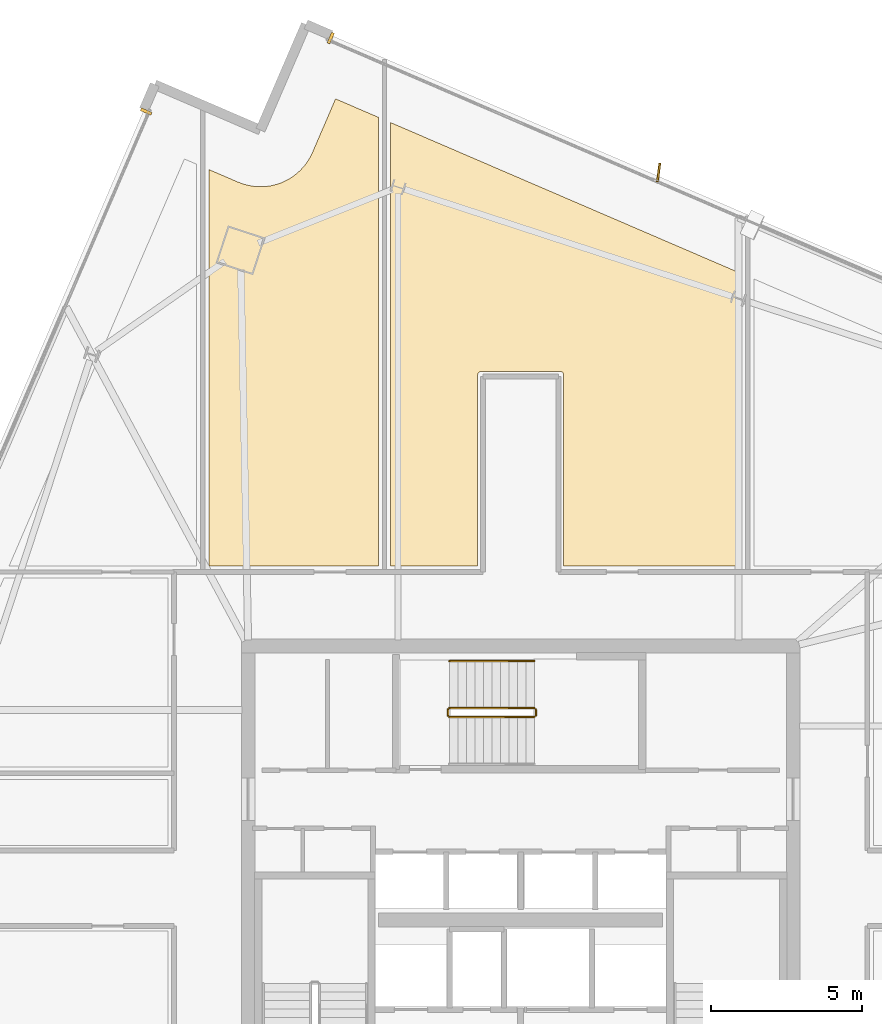
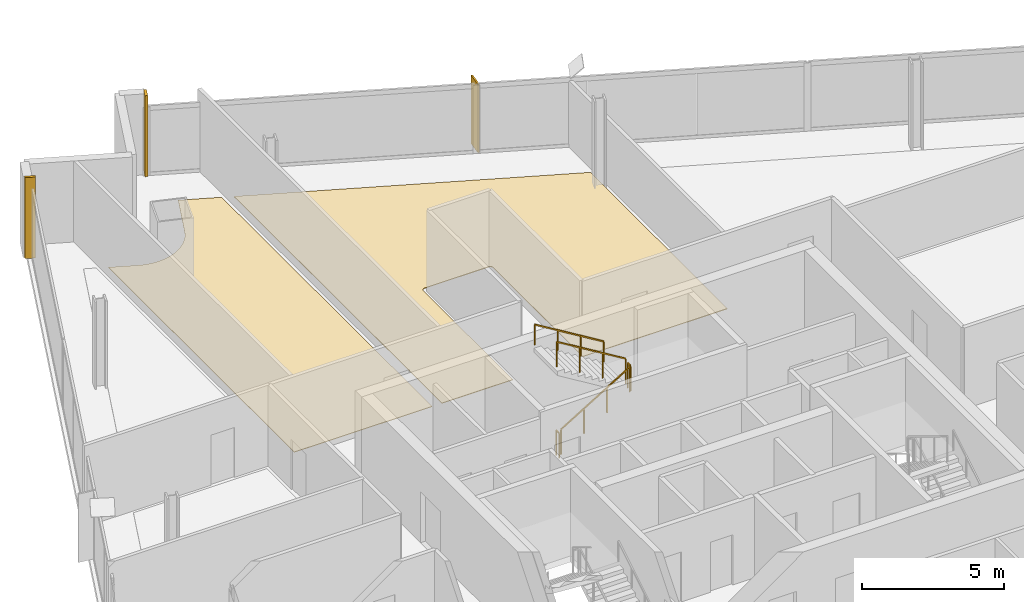
# One storey, part 27 of 28: 5 railings, 4 coverings, 1 shading device.
"""IFC4 building model written with IfcOpenShell, lengths in metres."""

from ifc_helpers import new_model, si_unit, direction, frame, origin, origin_2d, place, context, subcontext, project, spatial, polyline, rectangle, outline, extrude, source, transform, mapped, material, layer, layer_set, type_object, element, save


model = new_model("IFC4")

# Units and contexts
model_context = context("Model", 3, precision=1e-05, world=origin(), true_north=direction((0.0, 1.0)))
body_context = subcontext(model_context, "Body", "Model", "MODEL_VIEW")
ifc_project = project(units=[si_unit("LENGTHUNIT", "METRE"), si_unit("AREAUNIT", "SQUARE_METRE"), si_unit("VOLUMEUNIT", "CUBIC_METRE"), si_unit("PLANEANGLEUNIT", "RADIAN"), si_unit("MASSUNIT", "GRAM", prefix="KILO")], contexts=[model_context])

# Site, building, storey
site_placement = place(None, origin())
site = spatial("IfcSite", under=ifc_project, at=site_placement, CompositionType="ELEMENT")
building_placement = place(site_placement, origin())
building = spatial("IfcBuilding", under=site, at=building_placement, Name="Haldenkirk Collegiate Tower", CompositionType="ELEMENT")
storey_placement = place(building_placement, frame((0.0, 0.0, 252.449951171875)))
storey = spatial("IfcBuildingStorey", under=building, at=storey_placement, Name="L63", CompositionType="ELEMENT", Elevation=252.449951171875)

# Coverings
ifc_material_1 = material(Name="Polished collegiate terrazzo", Category="concrete")
ifc_layer_1 = layer(ifc_material_1, 0.02490234375)
ifc_layer_set_1 = layer_set([ifc_layer_1], Name="Polished collegiate terrazzo")
covering_type_1 = type_object("IfcCoveringType", Name="COV-FLOOR-TERRAZZO", PredefinedType="FLOORING", material=ifc_layer_set_1)
covering_1_placement = place(storey_placement, origin())
element("IfcCovering", 1, at=covering_1_placement, inside=storey, type_object=covering_type_1, Name="L63 academic room finish 06", PredefinedType="FLOORING", context=body_context, shape_type="SweptSolid", body=[
    extrude(outline(polyline([(43.300048828125, 46.2978515625), (43.300048828125, 36.64990234375), (37.419921875, 36.64990234375), (37.419921875, 42.949951171875), (37.41943359375, 42.9619140625), (37.417724609375, 42.973388671875), (37.414794921875, 42.98486328125), (37.410888671875, 42.995849609375), (37.40576171875, 43.006591796875), (37.39990234375, 43.0166015625), (37.392822265625, 43.026123046875), (37.385009765625, 43.034912109375), (37.376220703125, 43.042724609375), (37.36669921875, 43.0498046875), (37.356689453125, 43.055908203125), (37.345947265625, 43.060791015625), (37.334716796875, 43.064697265625), (37.323486328125, 43.067626953125), (37.311767578125, 43.0693359375), (37.300048828125, 43.070068359375), (34.699951171875, 43.070068359375), (34.688232421875, 43.0693359375), (34.676513671875, 43.067626953125), (34.665283203125, 43.064697265625), (34.654052734375, 43.060791015625), (34.643310546875, 43.055908203125), (34.63330078125, 43.0498046875), (34.623779296875, 43.042724609375), (34.614990234375, 43.034912109375), (34.607177734375, 43.026123046875), (34.60009765625, 43.0166015625), (34.59423828125, 43.006591796875), (34.589111328125, 42.995849609375), (34.585205078125, 42.98486328125), (34.582275390625, 42.973388671875), (34.58056640625, 42.9619140625), (34.580078125, 42.949951171875), (34.580078125, 36.64990234375), (31.699951171875, 36.64990234375), (31.699951171875, 51.293701171875), (43.300048828125, 46.2978515625)])), origin(), (0.0, 0.0, 1.0), 0.025146484375),
])
ifc_material_2 = material(Name="Engineered collegiate oak acoustic flooring", Category="wood")
ifc_layer_2 = layer(ifc_material_2, 0.02197265625)
ifc_layer_set_2 = layer_set([ifc_layer_2], Name="Engineered collegiate oak acoustic flooring")
covering_type_2 = type_object("IfcCoveringType", Name="COV-FLOOR-TIMBER", PredefinedType="FLOORING", material=ifc_layer_set_2)
covering_2_placement = place(storey_placement, origin())
element("IfcCovering", 2, at=covering_2_placement, inside=storey, type_object=covering_type_2, Name="L63 academic room finish 05", PredefinedType="FLOORING", context=body_context, shape_type="SweptSolid", body=[
    extrude(outline(polyline([(26.66455078125, 49.32470703125), (26.670166015625, 49.322509765625), (26.8310546875, 49.262451171875), (26.84228515625, 49.2587890625), (27.00830078125, 49.21484375), (27.019775390625, 49.21240234375), (27.189208984375, 49.184814453125), (27.200927734375, 49.18359375), (27.372314453125, 49.172607421875), (27.384033203125, 49.172607421875), (27.5556640625, 49.1787109375), (27.5673828125, 49.1796875), (27.737548828125, 49.202392578125), (27.749267578125, 49.20458984375), (27.91650390625, 49.243896484375), (27.927734375, 49.247314453125), (28.090087890625, 49.302734375), (28.101318359375, 49.30712890625), (28.25732421875, 49.37841796875), (28.267822265625, 49.3837890625), (28.416259765625, 49.469970703125), (28.42626953125, 49.476318359375), (28.565673828125, 49.576904296875), (28.57470703125, 49.584228515625), (28.70361328125, 49.69775390625), (28.712158203125, 49.705810546875), (28.8291015625, 49.83154296875), (28.8369140625, 49.84033203125), (28.941162109375, 49.976806640625), (28.94775390625, 49.98681640625), (29.0380859375, 50.1328125), (29.043701171875, 50.14306640625), (29.119384765625, 50.29736328125), (29.121826171875, 50.302490234375), (29.88525390625, 52.0751953125), (31.300048828125, 51.4658203125), (31.300048828125, 36.64990234375), (25.699951171875, 36.64990234375), (25.699951171875, 49.740234375), (26.66455078125, 49.32470703125)])), origin(), (0.0, 0.0, 1.0), 0.02197265625),
])

# Railings
ifc_material_3 = material(Name="Painted architectural tubular steel", Category="steel")
railing_type_1 = type_object("IfcRailingType", Name="RLG-STAIR-GUARD-1100", PredefinedType="BALUSTRADE", material=ifc_material_3)
railing_1_placement = place(storey_placement, frame((33.64990234375, 31.64990234375, 0.17041015625)))
element("IfcRailing", 3, at=railing_1_placement, inside=storey, type_object=railing_type_1, Name="L63 ST-3 stair guard 1", PredefinedType="BALUSTRADE", context=body_context, shape_type="SweptSolid", body=[
    extrude(rectangle(XDim=0.048095703125, YDim=0.048095703125, at=origin_2d()), frame((0.0, 0.0, 1.076171875), z_axis=(0.854169791009, 0.0, 0.51999420009), x_axis=(0.0, 1.0, 0.0)), (0.0, 0.0, 1.0), 3.278076171875),
    extrude(rectangle(XDim=0.0419921875, YDim=0.0419921875, at=origin_2d()), origin(), (0.0, 0.0, 1.0), 1.052001953125),
    extrude(rectangle(XDim=0.0419921875, YDim=0.0419921875, at=origin_2d()), frame((0.933349609375, 0.0, 0.568115234375)), (0.0, 0.0, 1.0), 1.052001953125),
    extrude(rectangle(XDim=0.0419921875, YDim=0.0419921875, at=origin_2d()), frame((1.86669921875, 0.0, 1.136474609375)), (0.0, 0.0, 1.0), 1.052001953125),
    extrude(rectangle(XDim=0.0419921875, YDim=0.0419921875, at=origin_2d()), frame((2.800048828125, 0.0, 1.70458984375)), (0.0, 0.0, 1.0), 1.052001953125),
])
railing_2_placement = place(storey_placement, frame((36.5, 31.699951171875, 1.875)))
element("IfcRailing", 4, at=railing_2_placement, inside=storey, type_object=railing_type_1, Name="L63 ST-3 stair guard 2", PredefinedType="BALUSTRADE", context=body_context, shape_type="SweptSolid", body=[
    extrude(rectangle(XDim=0.048095703125, YDim=0.048095703125, at=origin_2d()), frame((0.0, 0.0, 1.076171875), z_axis=(0.0, 1.0, 0.0), x_axis=(-1.0, 0.0, 0.0)), (0.0, 0.0, 1.0), 0.199951171875),
    extrude(rectangle(XDim=0.0419921875, YDim=0.0419921875, at=origin_2d()), origin(), (0.0, 0.0, 1.0), 1.052001953125),
    extrude(rectangle(XDim=0.0419921875, YDim=0.0419921875, at=origin_2d()), frame((0.0, 0.199951171875, 0.0)), (0.0, 0.0, 1.0), 1.052001953125),
])
railing_3_placement = place(storey_placement, frame((36.449951171875, 31.949951171875, 2.04541015625)))
element("IfcRailing", 5, at=railing_3_placement, inside=storey, type_object=railing_type_1, Name="L63 ST-3 stair guard 3", PredefinedType="BALUSTRADE", context=body_context, shape_type="SweptSolid", body=[
    extrude(rectangle(XDim=0.048095703125, YDim=0.048095703125, at=origin_2d()), frame((0.0, 0.0, 1.076171875), z_axis=(-0.854169791009, 0.0, 0.51999420009), x_axis=(0.0, -1.0, 0.0)), (0.0, 0.0, 1.0), 3.278076171875),
    extrude(rectangle(XDim=0.0419921875, YDim=0.0419921875, at=origin_2d()), origin(), (0.0, 0.0, 1.0), 1.052001953125),
    extrude(rectangle(XDim=0.0419921875, YDim=0.0419921875, at=origin_2d()), frame((-0.933349609375, 0.0, 0.568115234375)), (0.0, 0.0, 1.0), 1.052001953125),
    extrude(rectangle(XDim=0.0419921875, YDim=0.0419921875, at=origin_2d()), frame((-1.86669921875, 0.0, 1.136474609375)), (0.0, 0.0, 1.0), 1.052001953125),
    extrude(rectangle(XDim=0.0419921875, YDim=0.0419921875, at=origin_2d()), frame((-2.800048828125, 0.0, 1.70458984375)), (0.0, 0.0, 1.0), 1.052001953125),
])
railing_4_placement = place(storey_placement, frame((33.60009765625, 31.699951171875, 0.0)))
element("IfcRailing", 6, at=railing_4_placement, inside=storey, type_object=railing_type_1, Name="L63 ST-3 stair guard 4", PredefinedType="BALUSTRADE", context=body_context, shape_type="SweptSolid", body=[
    extrude(rectangle(XDim=0.048095703125, YDim=0.048095703125, at=origin_2d()), frame((0.0, 0.0, 1.076171875), z_axis=(0.0, 1.0, 0.0), x_axis=(-1.0, 0.0, 0.0)), (0.0, 0.0, 1.0), 0.199951171875),
    extrude(rectangle(XDim=0.0419921875, YDim=0.0419921875, at=origin_2d()), origin(), (0.0, 0.0, 1.0), 1.052001953125),
    extrude(rectangle(XDim=0.0419921875, YDim=0.0419921875, at=origin_2d()), frame((0.0, 0.199951171875, 0.0)), (0.0, 0.0, 1.0), 1.052001953125),
])
railing_type_2 = type_object("IfcRailingType", Name="RLG-STAIR-HANDRAIL-900", PredefinedType="HANDRAIL", material=ifc_material_3)
railing_5_placement = place(storey_placement, frame((36.449951171875, 33.5, 2.04541015625)))
element("IfcRailing", 7, at=railing_5_placement, inside=storey, type_object=railing_type_2, Name="L63 ST-3 stair handrail 2", PredefinedType="HANDRAIL", context=body_context, shape_type="SweptSolid", body=[
    extrude(rectangle(XDim=0.048095703125, YDim=0.048095703125, at=origin_2d()), frame((0.0, 0.0, 0.8759765625), z_axis=(-0.854169791009, 0.0, 0.51999420009), x_axis=(0.0, -1.0, 0.0)), (0.0, 0.0, 1.0), 3.278076171875),
    extrude(rectangle(XDim=0.0419921875, YDim=0.0419921875, at=origin_2d()), origin(), (0.0, 0.0, 1.0), 0.851806640625),
    extrude(rectangle(XDim=0.0419921875, YDim=0.0419921875, at=origin_2d()), frame((-0.933349609375, 0.0, 0.568115234375)), (0.0, 0.0, 1.0), 0.851806640625),
    extrude(rectangle(XDim=0.0419921875, YDim=0.0419921875, at=origin_2d()), frame((-1.86669921875, 0.0, 1.136474609375)), (0.0, 0.0, 1.0), 0.851806640625),
    extrude(rectangle(XDim=0.0419921875, YDim=0.0419921875, at=origin_2d()), frame((-2.800048828125, 0.0, 1.70458984375)), (0.0, 0.0, 1.0), 0.851806640625),
])

# Coverings
ifc_material_4 = material(Name="Anodised architectural bronze aluminium", Category="aluminium")
ifc_layer_3 = layer(ifc_material_4, 0.06005859375)
ifc_layer_set_3 = layer_set([ifc_layer_3], Name="Anodised architectural bronze aluminium")
covering_type_3 = type_object("IfcCoveringType", Name="COV-CLAD-BRONZE-60", PredefinedType="CLADDING", material=ifc_layer_set_3)
shared_shape_1 = source(origin(), body_context, "Body", "SweptSolid", [
    extrude(rectangle(XDim=0.10009765625, YDim=0.3798828125, at=origin_2d()), origin(), (0.0, 0.0, 1.0), 3.47998046875),
])
for number, where, z_axis, x_axis, name in (
    (8, (29.72607421875, 54.081787109375, 0.0), (0.0, 0.0, 1.0), (0.918446381343, -0.395545502563, 0.0), "L63 recessed curtain-wall bronze jamb closure EJL"),
    (9, (23.629150390625, 51.655517578125, 0.0), (0.0, 0.0, 1.0), (0.395545502563, 0.918446381343, 0.0), "L63 recessed curtain-wall bronze jamb closure NJR"),
):
    element("IfcCovering", number, at=place(storey_placement, frame(where, z_axis=z_axis, x_axis=x_axis)), inside=storey, type_object=covering_type_3, Name=name, PredefinedType="CLADDING", context=body_context, shape_type="MappedRepresentation", body=[
        mapped(shared_shape_1, transform((0.0, 0.0, 0.0), x_axis=(1.0, 0.0, 0.0), y_axis=(0.0, 1.0, 0.0), z_axis=(0.0, 0.0, 1.0), scale=1.0)),
    ])

# Shading device
ifc_layer_4 = layer(ifc_material_4, 0.06494140625)
ifc_layer_set_4 = layer_set([ifc_layer_4], Name="Anodised architectural bronze aluminium")
shading_device_type = type_object("IfcShadingDeviceType", Name="SHD-FIN-BRONZE-620", PredefinedType="USERDEFINED", material=ifc_layer_set_4)
shared_shape_2 = source(origin(), body_context, "Body", "SweptSolid", [
    extrude(rectangle(XDim=0.6201171875, YDim=0.06494140625, at=origin_2d()), origin(), (0.0, 0.0, 1.0), 2.93798828125),
])
shading_device_placement = place(storey_placement, frame((40.555908203125, 49.64111328125, 0.0), z_axis=(0.0, 0.0, 1.0), x_axis=(0.127064608601, 0.99189444259, 0.0)))
element("IfcShadingDevice", 10, at=shading_device_placement, inside=storey, type_object=shading_device_type, Name="L63 folded bronze solar fin 1", ObjectType="FIN", PredefinedType="USERDEFINED", context=body_context, shape_type="MappedRepresentation", body=[
    mapped(shared_shape_2, transform((0.0, 0.0, 0.0), x_axis=(1.0, 0.0, 0.0), y_axis=(0.0, 1.0, 0.0), z_axis=(0.0, 0.0, 1.0), scale=1.0)),
])

save(model, "model.ifc")
